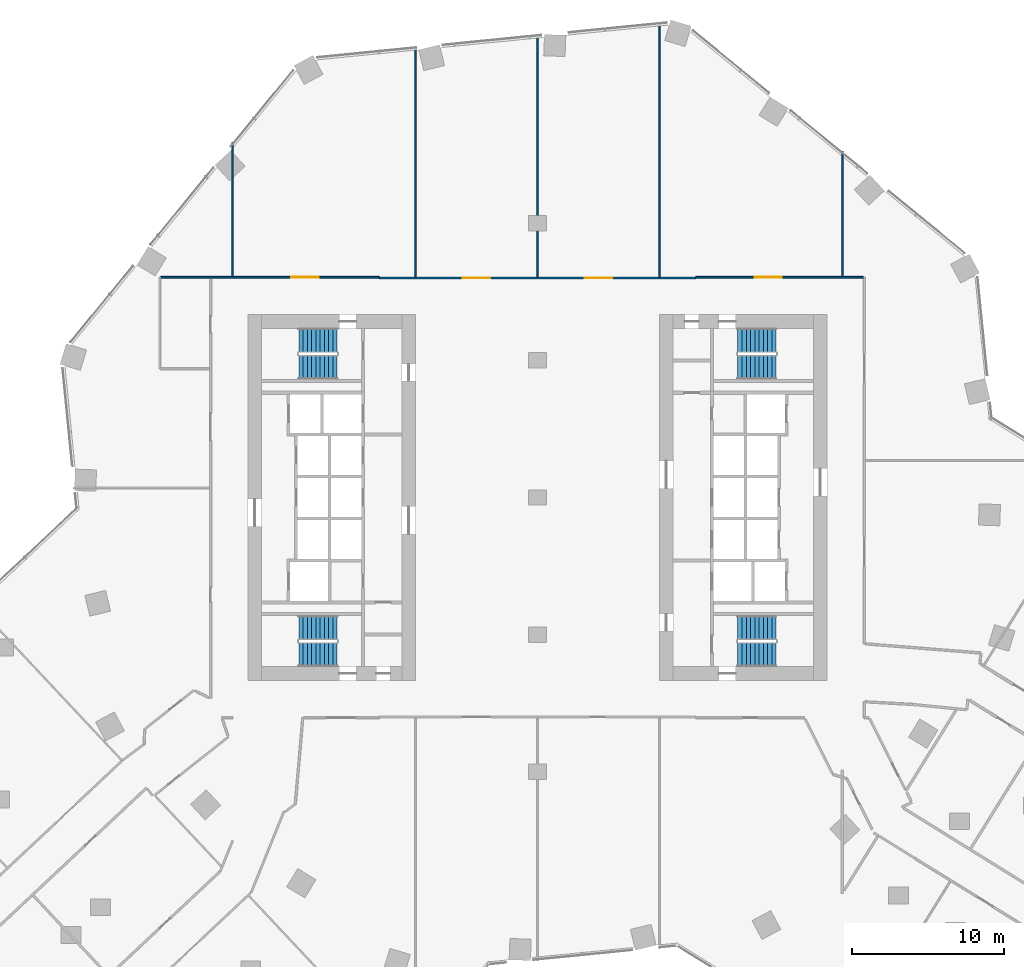
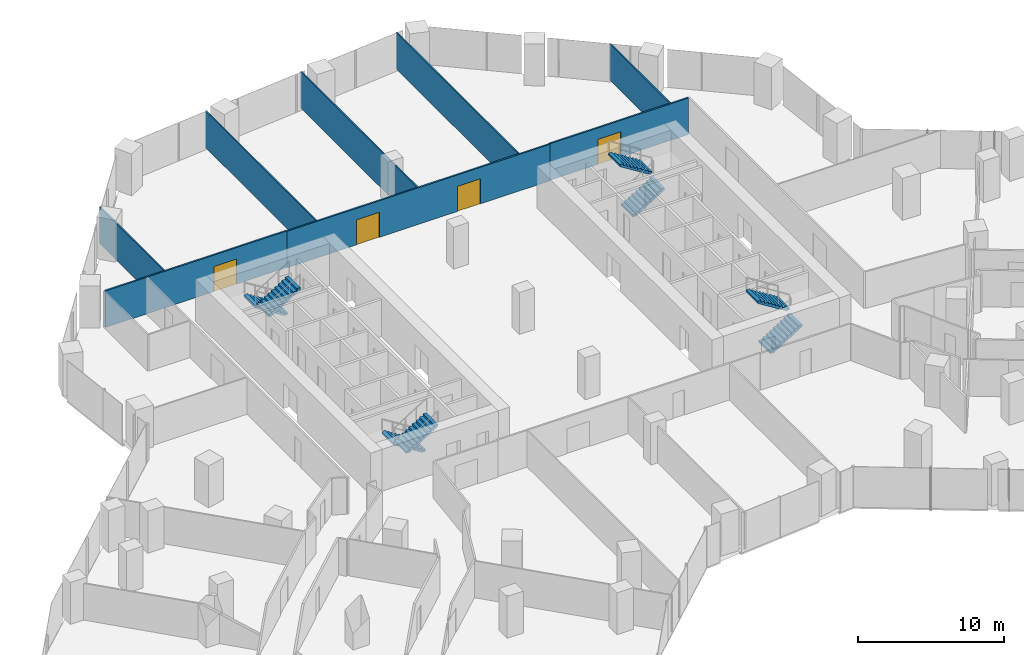
# One storey, part 33 of 34: 8 stair flights, 8 walls, 4 doors, 4 openings, 4 elements without a shape of their own.
"""IFC4 building model written with IfcOpenShell, lengths in metres."""

from ifc_helpers import new_model, si_unit, direction, frame, frame_2d, origin, place, context, subcontext, project, spatial, polyline, rectangle, outline, extrude, material, layer, layer_set, type_object, element, fill, aggregate, save


model = new_model("IFC4")

# Units and contexts
model_context = context("Model", 3, precision=1e-05, world=origin(), true_north=direction((0.0, 1.0)))
body_context = subcontext(model_context, "Body", "Model", "MODEL_VIEW")
ifc_project = project(units=[si_unit("LENGTHUNIT", "METRE"), si_unit("AREAUNIT", "SQUARE_METRE"), si_unit("VOLUMEUNIT", "CUBIC_METRE"), si_unit("PLANEANGLEUNIT", "RADIAN"), si_unit("MASSUNIT", "GRAM", prefix="KILO")], contexts=[model_context])

# Site, building, storey
site_placement = place(None, origin())
site = spatial("IfcSite", under=ifc_project, at=site_placement, CompositionType="ELEMENT")
building_placement = place(site_placement, origin())
building = spatial("IfcBuilding", under=site, at=building_placement, Name="Orlundy Tower", CompositionType="ELEMENT")
storey_placement = place(building_placement, frame((0.0, 0.0, 44.300048828125)))
storey = spatial("IfcBuildingStorey", under=building, at=storey_placement, Name="L09", CompositionType="ELEMENT", Elevation=44.300048828125)

# Walls
ifc_material_1 = material(Name="Gypsum board partition")
ifc_layer_1 = layer(ifc_material_1, 0.10009765625)
ifc_layer_set_1 = layer_set([ifc_layer_1], Name="Floor partition 100")
wall_type_1 = type_object("IfcWallType", Name="Floor partition 100", PredefinedType="PARTITIONING", material=ifc_layer_set_1)
wall_1_placement = place(storey_placement, frame((20.0, 14.513916015625, 0.0), z_axis=(0.0, 0.0, 1.0), x_axis=(0.0, 1.0, 0.0)))
element("IfcWall", 1, at=wall_1_placement, inside=storey, type_object=wall_type_1, Name="wall-int-L09-077", PredefinedType="PARTITIONING", context=body_context, shape_type="SweptSolid", body=[
    extrude(rectangle(XDim=8.2060546875, YDim=0.10009765625, at=frame_2d((4.10302734375, 0.0))), origin(), (0.0, 0.0, 1.0), 3.06005859375),
])
wall_2_placement = place(storey_placement, frame((8.0, 14.462890625, 0.0), z_axis=(0.0, 0.0, 1.0), x_axis=(0.0, 1.0, 0.0)))
element("IfcWall", 2, at=wall_2_placement, inside=storey, type_object=wall_type_1, Name="wall-int-L09-079", PredefinedType="PARTITIONING", context=body_context, shape_type="SweptSolid", body=[
    extrude(rectangle(XDim=16.72900390625, YDim=0.10009765625, at=frame_2d((8.364501953125, 0.0))), origin(), (0.0, 0.0, 1.0), 3.06005859375),
])
wall_3_placement = place(storey_placement, frame((0.0, 14.462890625, 0.0), z_axis=(0.0, 0.0, 1.0), x_axis=(0.0, 1.0, 0.0)))
element("IfcWall", 3, at=wall_3_placement, inside=storey, type_object=wall_type_1, Name="wall-int-L09-081", PredefinedType="PARTITIONING", context=body_context, shape_type="SweptSolid", body=[
    extrude(rectangle(XDim=15.93505859375, YDim=0.10009765625, at=frame_2d((7.967529296875, 0.0))), origin(), (0.0, 0.0, 1.0), 3.06005859375),
])
wall_4_placement = place(storey_placement, frame((-8.0, 14.462890625, 0.0), z_axis=(0.0, 0.0, 1.0), x_axis=(0.0, 1.0, 0.0)))
element("IfcWall", 4, at=wall_4_placement, inside=storey, type_object=wall_type_1, Name="wall-int-L09-083", PredefinedType="PARTITIONING", context=body_context, shape_type="SweptSolid", body=[
    extrude(rectangle(XDim=15.14208984375, YDim=0.10009765625, at=frame_2d((7.571044921875, 0.0))), origin(), (0.0, 0.0, 1.0), 3.06005859375),
])
wall_5_placement = place(storey_placement, frame((-20.0, 14.513916015625, 0.0), z_axis=(0.0, 0.0, 1.0), x_axis=(0.0, 1.0, 0.0)))
element("IfcWall", 5, at=wall_5_placement, inside=storey, type_object=wall_type_1, Name="wall-int-L09-084", PredefinedType="PARTITIONING", context=body_context, shape_type="SweptSolid", body=[
    extrude(rectangle(XDim=8.80517578125, YDim=0.10009765625, at=frame_2d((4.402587890625, 0.0))), origin(), (0.0, 0.0, 1.0), 3.06005859375),
])

# Wall, openings, doors
ifc_material_2 = material(Name="Gypsum board partition, double layer")
ifc_layer_2 = layer(ifc_material_2, 0.125)
ifc_layer_set_2 = layer_set([ifc_layer_2], Name="Floor partition 125")
wall_type_2 = type_object("IfcWallType", Name="Floor partition 125", PredefinedType="PARTITIONING", material=ifc_layer_set_2)
wall_6_placement = place(storey_placement, frame((-10.389892578125, 14.40087890625, 0.0), z_axis=(0.0, 0.0, 1.0), x_axis=(1.0, 0.0, 0.0)))
wall_6 = element("IfcWall", 6, at=wall_6_placement, inside=storey, type_object=wall_type_2, Name="wall-int-L09-041", PredefinedType="PARTITIONING", context=body_context, shape_type="SweptSolid", body=[
    extrude(rectangle(XDim=20.781005859375, YDim=0.125, at=frame_2d((10.390625, 0.0))), origin(), (0.0, 0.0, 1.0), 3.06005859375),
])
opening_1_placement = place(wall_6_placement, frame((13.489990234375, 0.0, 0.0)))
opening_1 = element("IfcOpeningElement", 7, at=opening_1_placement, cuts=wall_6, Name="Opening 09132", PredefinedType="OPENING", context=body_context, shape_type="SweptSolid", body=[
    extrude(rectangle(XDim=1.800048828125, YDim=2.10009765625, at=frame_2d((0.89990234375, 1.050048828125))), frame((0.0, 0.072509765625, 0.0), z_axis=(0.0, -1.0, 0.0), x_axis=(1.0, 0.0, 0.0)), (0.0, 0.0, 1.0), 0.14501953125),
])
opening_2_placement = place(wall_6_placement, frame((5.489990234375, 0.0, 0.0)))
opening_2 = element("IfcOpeningElement", 8, at=opening_2_placement, cuts=wall_6, Name="Opening 09133", PredefinedType="OPENING", context=body_context, shape_type="SweptSolid", body=[
    extrude(rectangle(XDim=1.800048828125, YDim=2.10009765625, at=frame_2d((0.89990234375, 1.050048828125))), frame((0.0, 0.072509765625, 0.0), z_axis=(0.0, -1.0, 0.0), x_axis=(1.0, 0.0, 0.0)), (0.0, 0.0, 1.0), 0.14501953125),
])
ifc_material_3 = material(Name="Timber door leaf", Category="wood")
door_type = type_object("IfcDoorType", Name="Floor door double 1800 FD30S", OperationType="NOTDEFINED", PredefinedType="DOOR", material=ifc_material_3)
door_1_placement = place(opening_1_placement, origin())
door_1 = element("IfcDoor", 9, at=door_1_placement, inside=storey, type_object=door_type, Name="Door 09132", OperationType="DOUBLE_DOOR_SINGLE_SWING", OverallHeight=2.10009765625, OverallWidth=1.800048828125, PredefinedType="DOOR", context=body_context, shape_type="SweptSolid", body=[
    extrude(rectangle(XDim=1.800048828125, YDim=2.10009765625, at=frame_2d((0.89990234375, 1.050048828125))), frame((0.0, 0.02490234375, 0.0), z_axis=(0.0, -1.0, 0.0), x_axis=(1.0, 0.0, 0.0)), (0.0, 0.0, 1.0), 0.050048828125),
])
fill(opening_1, door_1)
door_2_placement = place(opening_2_placement, origin())
door_2 = element("IfcDoor", 10, at=door_2_placement, inside=storey, type_object=door_type, Name="Door 09133", OperationType="DOUBLE_DOOR_SINGLE_SWING", OverallHeight=2.10009765625, OverallWidth=1.800048828125, PredefinedType="DOOR", context=body_context, shape_type="SweptSolid", body=[
    extrude(rectangle(XDim=1.800048828125, YDim=2.10009765625, at=frame_2d((0.89990234375, 1.050048828125))), frame((0.0, 0.02490234375, 0.0), z_axis=(0.0, -1.0, 0.0), x_axis=(1.0, 0.0, 0.0)), (0.0, 0.0, 1.0), 0.050048828125),
])
fill(opening_2, door_2)

# Wall, opening, door
wall_7_placement = place(storey_placement, frame((-24.73095703125, 14.449951171875, 0.0), z_axis=(0.0, 0.0, 1.0), x_axis=(1.0, 0.0, 0.0)))
wall_7 = element("IfcWall", 11, at=wall_7_placement, inside=storey, type_object=wall_type_2, Name="wall-int-L09-042", PredefinedType="PARTITIONING", context=body_context, shape_type="SweptSolid", body=[
    extrude(rectangle(XDim=14.33984375, YDim=0.125, at=frame_2d((7.169921875, 0.0))), origin(), (0.0, 0.0, 1.0), 3.06005859375),
])
opening_3_placement = place(wall_7_placement, frame((8.5810546875, 0.0, 0.0)))
opening_3 = element("IfcOpeningElement", 12, at=opening_3_placement, cuts=wall_7, Name="Opening 09134", PredefinedType="OPENING", context=body_context, shape_type="SweptSolid", body=[
    extrude(rectangle(XDim=1.800048828125, YDim=2.10009765625, at=frame_2d((0.89990234375, 1.050048828125))), frame((0.0, 0.072509765625, 0.0), z_axis=(0.0, -1.0, 0.0), x_axis=(1.0, 0.0, 0.0)), (0.0, 0.0, 1.0), 0.14501953125),
])
door_3_placement = place(opening_3_placement, origin())
door_3 = element("IfcDoor", 13, at=door_3_placement, inside=storey, type_object=door_type, Name="Door 09134", OperationType="DOUBLE_DOOR_SINGLE_SWING", OverallHeight=2.10009765625, OverallWidth=1.800048828125, PredefinedType="DOOR", context=body_context, shape_type="SweptSolid", body=[
    extrude(rectangle(XDim=1.800048828125, YDim=2.10009765625, at=frame_2d((0.89990234375, 1.050048828125))), frame((0.0, 0.02490234375, 0.0), z_axis=(0.0, -1.0, 0.0), x_axis=(1.0, 0.0, 0.0)), (0.0, 0.0, 1.0), 0.050048828125),
])
fill(opening_3, door_3)

wall_8_placement = place(storey_placement, frame((10.39111328125, 14.450927734375, 0.0), z_axis=(0.0, 0.0, 1.0), x_axis=(1.0, 0.0, 0.0)))
wall_8 = element("IfcWall", 14, at=wall_8_placement, inside=storey, type_object=wall_type_2, Name="wall-int-L09-043", PredefinedType="PARTITIONING", context=body_context, shape_type="SweptSolid", body=[
    extrude(rectangle(XDim=10.995849609375, YDim=0.125, at=frame_2d((5.498046875, 0.0))), origin(), (0.0, 0.0, 1.0), 3.06005859375),
])
opening_4_placement = place(wall_8_placement, frame((3.85009765625, 0.0, 0.0)))
opening_4 = element("IfcOpeningElement", 15, at=opening_4_placement, cuts=wall_8, Name="Opening 09131", PredefinedType="OPENING", context=body_context, shape_type="SweptSolid", body=[
    extrude(rectangle(XDim=1.800048828125, YDim=2.10009765625, at=frame_2d((0.89990234375, 1.050048828125))), frame((0.0, 0.072509765625, 0.0), z_axis=(0.0, -1.0, 0.0), x_axis=(1.0, 0.0, 0.0)), (0.0, 0.0, 1.0), 0.14501953125),
])
door_4_placement = place(opening_4_placement, origin())
door_4 = element("IfcDoor", 16, at=door_4_placement, inside=storey, type_object=door_type, Name="Door 09131", OperationType="DOUBLE_DOOR_SINGLE_SWING", OverallHeight=2.10009765625, OverallWidth=1.800048828125, PredefinedType="DOOR", context=body_context, shape_type="SweptSolid", body=[
    extrude(rectangle(XDim=1.800048828125, YDim=2.10009765625, at=frame_2d((0.89990234375, 1.050048828125))), frame((0.0, 0.02490234375, 0.0), z_axis=(0.0, -1.0, 0.0), x_axis=(1.0, 0.0, 0.0)), (0.0, 0.0, 1.0), 0.050048828125),
])
fill(opening_4, door_4)

# Stair, stair flights
ifc_material_4 = material(Name="Concrete C50/60", Category="concrete")
stair_type = type_object("IfcStairType", Name="Exit Stair 20 risers", PredefinedType="HALF_TURN_STAIR", material=ifc_material_4)
stair_1_placement = place(storey_placement, origin())
stair_1 = element("IfcStair", 17, at=stair_1_placement, inside=storey, type_object=stair_type, Name="L09 Exit Stair ST-W1", PredefinedType="HALF_TURN_STAIR")
ifc_material_5 = material(Name="Concrete C50/60", Category="concrete")
stair_flight_type = type_object("IfcStairFlightType", Name="Stair Flight 10 risers", PredefinedType="STRAIGHT", material=ifc_material_5)
stair_flight_1_placement = place(storey_placement, frame((-13.139892578125, 10.300048828125, 0.0), z_axis=(0.0, 0.0, 1.0), x_axis=(-1.0, 0.0, 0.0)))
stair_flight_1 = element("IfcStairFlight", 18, at=stair_flight_1_placement, type_object=stair_flight_type, Name="ST-W1 flight 1", NumberOfRisers=10, NumberOfTreads=9, PredefinedType="STRAIGHT", RiserHeight=0.175, TreadLength=0.28, context=body_context, shape_type="SweptSolid", body=[
    extrude(outline(polyline([(0.0, 0.0), (0.0, 0.175048828125), (0.280029296875, 0.175048828125), (0.280029296875, 0.35009765625), (0.56005859375, 0.35009765625), (0.56005859375, 0.52490234375), (0.840087890625, 0.52490234375), (0.840087890625, 0.699951171875), (1.1201171875, 0.699951171875), (1.1201171875, 0.875), (1.39990234375, 0.875), (1.39990234375, 1.050048828125), (1.679931640625, 1.050048828125), (1.679931640625, 1.22509765625), (1.9599609375, 1.22509765625), (1.9599609375, 1.39990234375), (2.239990234375, 1.39990234375), (2.239990234375, 1.574951171875), (2.52001953125, 1.574951171875), (2.52001953125, 1.75), (2.52001953125, 1.398193359375), (0.28271484375, 0.0), (0.0, 0.0)])), frame((0.0, 0.800048828125, 0.0), z_axis=(0.0, -1.0, 0.0), x_axis=(1.0, 0.0, 0.0)), (0.0, 0.0, 1.0), 1.60009765625),
])
stair_flight_2_placement = place(storey_placement, frame((-15.659912109375, 8.550048828125, 1.75), z_axis=(0.0, 0.0, 1.0), x_axis=(1.0, 0.0, 0.0)))
stair_flight_2 = element("IfcStairFlight", 19, at=stair_flight_2_placement, type_object=stair_flight_type, Name="ST-W1 flight 2", NumberOfRisers=10, NumberOfTreads=9, PredefinedType="STRAIGHT", RiserHeight=0.175, TreadLength=0.28, context=body_context, shape_type="SweptSolid", body=[
    extrude(outline(polyline([(0.0, 0.0), (0.0, 0.175048828125), (0.280029296875, 0.175048828125), (0.280029296875, 0.35009765625), (0.56005859375, 0.35009765625), (0.56005859375, 0.52490234375), (0.840087890625, 0.52490234375), (0.840087890625, 0.699951171875), (1.1201171875, 0.699951171875), (1.1201171875, 0.875), (1.39990234375, 0.875), (1.39990234375, 1.050048828125), (1.679931640625, 1.050048828125), (1.679931640625, 1.22509765625), (1.9599609375, 1.22509765625), (1.9599609375, 1.39990234375), (2.239990234375, 1.39990234375), (2.239990234375, 1.574951171875), (2.52001953125, 1.574951171875), (2.52001953125, 1.75), (2.52001953125, 1.398193359375), (0.28271484375, 0.0), (0.0, 0.0)])), frame((0.0, 0.800048828125, 0.0), z_axis=(0.0, -1.0, 0.0), x_axis=(1.0, 0.0, 0.0)), (0.0, 0.0, 1.0), 1.60009765625),
])
aggregate(stair_1, [stair_flight_1, stair_flight_2])

stair_2_placement = place(storey_placement, origin())
stair_2 = element("IfcStair", 20, at=stair_2_placement, inside=storey, type_object=stair_type, Name="L09 Exit Stair ST-W2", PredefinedType="HALF_TURN_STAIR")
stair_flight_3_placement = place(storey_placement, frame((-13.139892578125, -8.550048828125, 0.0), z_axis=(0.0, 0.0, 1.0), x_axis=(-1.0, 0.0, 0.0)))
stair_flight_3 = element("IfcStairFlight", 21, at=stair_flight_3_placement, type_object=stair_flight_type, Name="ST-W2 flight 1", NumberOfRisers=10, NumberOfTreads=9, PredefinedType="STRAIGHT", RiserHeight=0.175, TreadLength=0.28, context=body_context, shape_type="SweptSolid", body=[
    extrude(outline(polyline([(0.0, 0.0), (0.0, 0.175048828125), (0.280029296875, 0.175048828125), (0.280029296875, 0.35009765625), (0.56005859375, 0.35009765625), (0.56005859375, 0.52490234375), (0.840087890625, 0.52490234375), (0.840087890625, 0.699951171875), (1.1201171875, 0.699951171875), (1.1201171875, 0.875), (1.39990234375, 0.875), (1.39990234375, 1.050048828125), (1.679931640625, 1.050048828125), (1.679931640625, 1.22509765625), (1.9599609375, 1.22509765625), (1.9599609375, 1.39990234375), (2.239990234375, 1.39990234375), (2.239990234375, 1.574951171875), (2.52001953125, 1.574951171875), (2.52001953125, 1.75), (2.52001953125, 1.398193359375), (0.28271484375, 0.0), (0.0, 0.0)])), frame((0.0, 0.800048828125, 0.0), z_axis=(0.0, -1.0, 0.0), x_axis=(1.0, 0.0, 0.0)), (0.0, 0.0, 1.0), 1.60009765625),
])
stair_flight_4_placement = place(storey_placement, frame((-15.659912109375, -10.300048828125, 1.75), z_axis=(0.0, 0.0, 1.0), x_axis=(1.0, 0.0, 0.0)))
stair_flight_4 = element("IfcStairFlight", 22, at=stair_flight_4_placement, type_object=stair_flight_type, Name="ST-W2 flight 2", NumberOfRisers=10, NumberOfTreads=9, PredefinedType="STRAIGHT", RiserHeight=0.175, TreadLength=0.28, context=body_context, shape_type="SweptSolid", body=[
    extrude(outline(polyline([(0.0, 0.0), (0.0, 0.175048828125), (0.280029296875, 0.175048828125), (0.280029296875, 0.35009765625), (0.56005859375, 0.35009765625), (0.56005859375, 0.52490234375), (0.840087890625, 0.52490234375), (0.840087890625, 0.699951171875), (1.1201171875, 0.699951171875), (1.1201171875, 0.875), (1.39990234375, 0.875), (1.39990234375, 1.050048828125), (1.679931640625, 1.050048828125), (1.679931640625, 1.22509765625), (1.9599609375, 1.22509765625), (1.9599609375, 1.39990234375), (2.239990234375, 1.39990234375), (2.239990234375, 1.574951171875), (2.52001953125, 1.574951171875), (2.52001953125, 1.75), (2.52001953125, 1.398193359375), (0.28271484375, 0.0), (0.0, 0.0)])), frame((0.0, 0.800048828125, 0.0), z_axis=(0.0, -1.0, 0.0), x_axis=(1.0, 0.0, 0.0)), (0.0, 0.0, 1.0), 1.60009765625),
])
aggregate(stair_2, [stair_flight_3, stair_flight_4])

stair_3_placement = place(storey_placement, origin())
stair_3 = element("IfcStair", 23, at=stair_3_placement, inside=storey, type_object=stair_type, Name="L09 Exit Stair ST-E1", PredefinedType="HALF_TURN_STAIR")
stair_flight_5_placement = place(storey_placement, frame((13.139892578125, -10.300048828125, 0.0), z_axis=(0.0, 0.0, 1.0), x_axis=(1.0, 0.0, 0.0)))
stair_flight_5 = element("IfcStairFlight", 24, at=stair_flight_5_placement, type_object=stair_flight_type, Name="ST-E1 flight 1", NumberOfRisers=10, NumberOfTreads=9, PredefinedType="STRAIGHT", RiserHeight=0.175, TreadLength=0.28, context=body_context, shape_type="SweptSolid", body=[
    extrude(outline(polyline([(0.0, 0.0), (0.0, 0.175048828125), (0.280029296875, 0.175048828125), (0.280029296875, 0.35009765625), (0.56005859375, 0.35009765625), (0.56005859375, 0.52490234375), (0.840087890625, 0.52490234375), (0.840087890625, 0.699951171875), (1.1201171875, 0.699951171875), (1.1201171875, 0.875), (1.39990234375, 0.875), (1.39990234375, 1.050048828125), (1.679931640625, 1.050048828125), (1.679931640625, 1.22509765625), (1.9599609375, 1.22509765625), (1.9599609375, 1.39990234375), (2.239990234375, 1.39990234375), (2.239990234375, 1.574951171875), (2.52001953125, 1.574951171875), (2.52001953125, 1.75), (2.52001953125, 1.398193359375), (0.28271484375, 0.0), (0.0, 0.0)])), frame((0.0, 0.800048828125, 0.0), z_axis=(0.0, -1.0, 0.0), x_axis=(1.0, 0.0, 0.0)), (0.0, 0.0, 1.0), 1.60009765625),
])
stair_flight_6_placement = place(storey_placement, frame((15.659912109375, -8.550048828125, 1.75), z_axis=(0.0, 0.0, 1.0), x_axis=(-1.0, 0.0, 0.0)))
stair_flight_6 = element("IfcStairFlight", 25, at=stair_flight_6_placement, type_object=stair_flight_type, Name="ST-E1 flight 2", NumberOfRisers=10, NumberOfTreads=9, PredefinedType="STRAIGHT", RiserHeight=0.175, TreadLength=0.28, context=body_context, shape_type="SweptSolid", body=[
    extrude(outline(polyline([(0.0, 0.0), (0.0, 0.175048828125), (0.280029296875, 0.175048828125), (0.280029296875, 0.35009765625), (0.56005859375, 0.35009765625), (0.56005859375, 0.52490234375), (0.840087890625, 0.52490234375), (0.840087890625, 0.699951171875), (1.1201171875, 0.699951171875), (1.1201171875, 0.875), (1.39990234375, 0.875), (1.39990234375, 1.050048828125), (1.679931640625, 1.050048828125), (1.679931640625, 1.22509765625), (1.9599609375, 1.22509765625), (1.9599609375, 1.39990234375), (2.239990234375, 1.39990234375), (2.239990234375, 1.574951171875), (2.52001953125, 1.574951171875), (2.52001953125, 1.75), (2.52001953125, 1.398193359375), (0.28271484375, 0.0), (0.0, 0.0)])), frame((0.0, 0.800048828125, 0.0), z_axis=(0.0, -1.0, 0.0), x_axis=(1.0, 0.0, 0.0)), (0.0, 0.0, 1.0), 1.60009765625),
])
aggregate(stair_3, [stair_flight_5, stair_flight_6])

stair_4_placement = place(storey_placement, origin())
stair_4 = element("IfcStair", 26, at=stair_4_placement, inside=storey, type_object=stair_type, Name="L09 Exit Stair ST-E2", PredefinedType="HALF_TURN_STAIR")
stair_flight_7_placement = place(storey_placement, frame((13.139892578125, 8.550048828125, 0.0), z_axis=(0.0, 0.0, 1.0), x_axis=(1.0, 0.0, 0.0)))
stair_flight_7 = element("IfcStairFlight", 27, at=stair_flight_7_placement, type_object=stair_flight_type, Name="ST-E2 flight 1", NumberOfRisers=10, NumberOfTreads=9, PredefinedType="STRAIGHT", RiserHeight=0.175, TreadLength=0.28, context=body_context, shape_type="SweptSolid", body=[
    extrude(outline(polyline([(0.0, 0.0), (0.0, 0.175048828125), (0.280029296875, 0.175048828125), (0.280029296875, 0.35009765625), (0.56005859375, 0.35009765625), (0.56005859375, 0.52490234375), (0.840087890625, 0.52490234375), (0.840087890625, 0.699951171875), (1.1201171875, 0.699951171875), (1.1201171875, 0.875), (1.39990234375, 0.875), (1.39990234375, 1.050048828125), (1.679931640625, 1.050048828125), (1.679931640625, 1.22509765625), (1.9599609375, 1.22509765625), (1.9599609375, 1.39990234375), (2.239990234375, 1.39990234375), (2.239990234375, 1.574951171875), (2.52001953125, 1.574951171875), (2.52001953125, 1.75), (2.52001953125, 1.398193359375), (0.28271484375, 0.0), (0.0, 0.0)])), frame((0.0, 0.800048828125, 0.0), z_axis=(0.0, -1.0, 0.0), x_axis=(1.0, 0.0, 0.0)), (0.0, 0.0, 1.0), 1.60009765625),
])
stair_flight_8_placement = place(storey_placement, frame((15.659912109375, 10.300048828125, 1.75), z_axis=(0.0, 0.0, 1.0), x_axis=(-1.0, 0.0, 0.0)))
stair_flight_8 = element("IfcStairFlight", 28, at=stair_flight_8_placement, type_object=stair_flight_type, Name="ST-E2 flight 2", NumberOfRisers=10, NumberOfTreads=9, PredefinedType="STRAIGHT", RiserHeight=0.175, TreadLength=0.28, context=body_context, shape_type="SweptSolid", body=[
    extrude(outline(polyline([(0.0, 0.0), (0.0, 0.175048828125), (0.280029296875, 0.175048828125), (0.280029296875, 0.35009765625), (0.56005859375, 0.35009765625), (0.56005859375, 0.52490234375), (0.840087890625, 0.52490234375), (0.840087890625, 0.699951171875), (1.1201171875, 0.699951171875), (1.1201171875, 0.875), (1.39990234375, 0.875), (1.39990234375, 1.050048828125), (1.679931640625, 1.050048828125), (1.679931640625, 1.22509765625), (1.9599609375, 1.22509765625), (1.9599609375, 1.39990234375), (2.239990234375, 1.39990234375), (2.239990234375, 1.574951171875), (2.52001953125, 1.574951171875), (2.52001953125, 1.75), (2.52001953125, 1.398193359375), (0.28271484375, 0.0), (0.0, 0.0)])), frame((0.0, 0.800048828125, 0.0), z_axis=(0.0, -1.0, 0.0), x_axis=(1.0, 0.0, 0.0)), (0.0, 0.0, 1.0), 1.60009765625),
])
aggregate(stair_4, [stair_flight_7, stair_flight_8])

save(model, "model.ifc")
